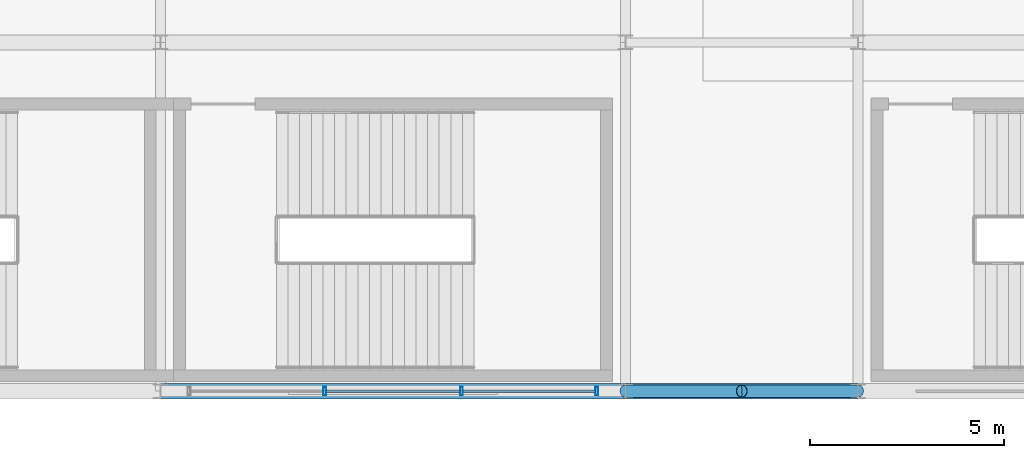
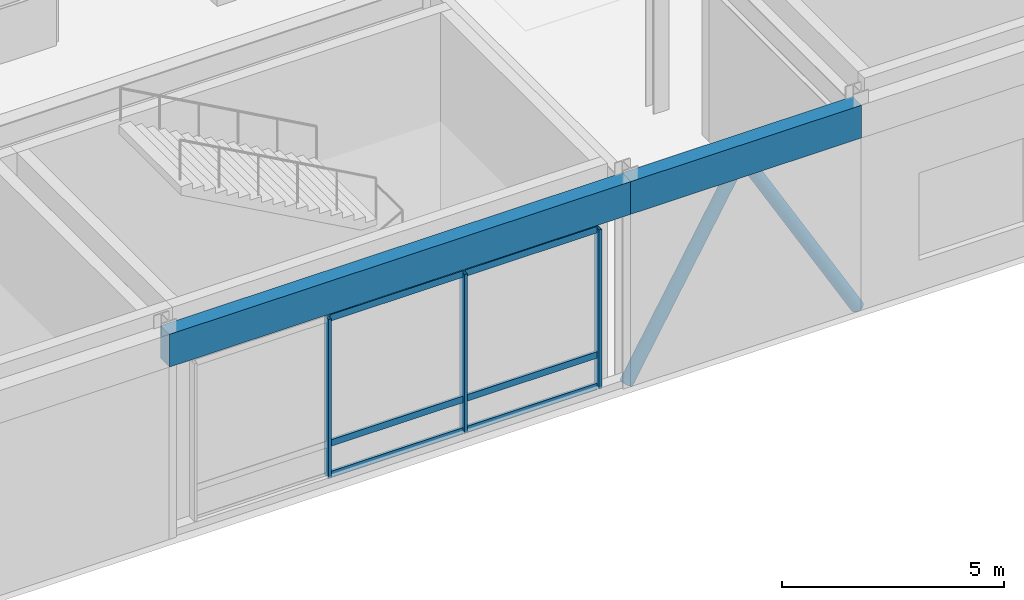
# One storey, part 19 of 108: 11 members, 2 beams, 1 element without a shape of its own.
"""IFC4 building model written with IfcOpenShell, lengths in metres."""

from ifc_helpers import new_model, si_unit, direction, frame, origin, origin_2d, place, context, subcontext, project, spatial, rectangle, hollow_rectangle, hollow_circle, extrude, material, material_profile, profile_set, type_object, element, aggregate, save


model = new_model("IFC4")

# Units and contexts
model_context = context("Model", 3, precision=1e-05, world=origin(), true_north=direction((0.0, 1.0)))
body_context = subcontext(model_context, "Body", "Model", "MODEL_VIEW")
ifc_project = project(units=[si_unit("LENGTHUNIT", "METRE"), si_unit("AREAUNIT", "SQUARE_METRE"), si_unit("VOLUMEUNIT", "CUBIC_METRE"), si_unit("PLANEANGLEUNIT", "RADIAN"), si_unit("MASSUNIT", "GRAM", prefix="KILO")], contexts=[model_context])

# Site, building, storey
site_placement = place(None, origin())
site = spatial("IfcSite", under=ifc_project, at=site_placement, CompositionType="ELEMENT")
building_placement = place(site_placement, origin())
building = spatial("IfcBuilding", under=site, at=building_placement, Name="Kaldorvane Square Convention Centre", CompositionType="ELEMENT")
storey_placement = place(building_placement, frame((0.0, 0.0, 12.0)))
storey = spatial("IfcBuildingStorey", under=building, at=storey_placement, Name="L02", CompositionType="ELEMENT", Elevation=12.0)

# Beams
ifc_material_1 = material(Name="Concrete f'c = 42 MPa (Normalweight)", Category="concrete")
ifc_material_profile_1 = material_profile(ifc_material_1, rectangle(XDim=0.399993896484375, YDim=0.899993896484375, at=origin_2d()), Name="RCSP900X400")
ifc_profile_set_1 = profile_set([ifc_material_profile_1], Name="Concrete f'c = 42 MPa (Normalweight)")
beam_type = type_object("IfcBeamType", Name="BM-SP-RC900", PredefinedType="SPANDREL", material=ifc_profile_set_1)
beam_1_placement = place(storey_placement, frame((12.0, 0.0, 5.1959991455078125), z_axis=(1.0, 0.0, 0.0), x_axis=(0.0, 1.0, 0.0)))
element("IfcBeam", 1, at=beam_1_placement, inside=storey, type_object=beam_type, Name="Perimeter Spandrel (L02)", PredefinedType="SPANDREL", context=body_context, shape_type="SweptSolid", body=[
    extrude(rectangle(XDim=0.399993896484375, YDim=0.899993896484375, at=origin_2d()), origin(), (0.0, 0.0, 1.0), 12.0),
])
beam_2_placement = place(storey_placement, frame((24.0, 0.0, 5.1959991455078125), z_axis=(1.0, 0.0, 0.0), x_axis=(0.0, 1.0, 0.0)))
element("IfcBeam", 2, at=beam_2_placement, inside=storey, type_object=beam_type, Name="Perimeter Spandrel (L02)", PredefinedType="SPANDREL", context=body_context, shape_type="SweptSolid", body=[
    extrude(rectangle(XDim=0.399993896484375, YDim=0.899993896484375, at=origin_2d()), origin(), (0.0, 0.0, 1.0), 6.0),
])

# Curtain wall, members
ifc_material_2 = material(Name="Anodized Aluminum and Low-E Insulated Glazing", Category="aluminium")
curtain_wall_type = type_object("IfcCurtainWallType", Name="CW-UNI-P60-12", PredefinedType="USERDEFINED", material=ifc_material_2)
curtain_wall_placement = place(storey_placement, origin())
curtain_wall = element("IfcCurtainWall", 3, at=curtain_wall_placement, inside=storey, type_object=curtain_wall_type, Name="Curtain Wall CW-01 (L02)", ObjectType="UNITISED GLAZING", PredefinedType="USERDEFINED")
ifc_material_profile_2 = material_profile(ifc_material_2, hollow_rectangle(XDim=0.0749969482421875, YDim=0.220001220703125, WallThickness=0.003997802734375, at=origin_2d()), Name="CWM-220X75")
ifc_profile_set_2 = profile_set([ifc_material_profile_2], Name="Anodized Aluminum and Low-E Insulated Glazing")
member_type_1 = type_object("IfcMemberType", Name="CW-MUL-220", PredefinedType="MULLION", material=ifc_profile_set_2)
member_1_placement = place(storey_placement, frame((16.23333740234375, 0.0, 0.149993896484375), z_axis=(0.0, 0.0, 1.0), x_axis=(1.0, 0.0, 0.0)))
member_1 = element("IfcMember", 4, at=member_1_placement, type_object=member_type_1, Name="CW-01 mullion 2", PredefinedType="MULLION", context=body_context, shape_type="SweptSolid", body=[
    extrude(hollow_rectangle(XDim=0.0749969482421875, YDim=0.220001220703125, WallThickness=0.003997802734375, at=origin_2d()), origin(), (0.0, 0.0, 1.0), 4.3800048828125),
])
member_2_placement = place(storey_placement, frame((19.76666259765625, 0.0, 0.149993896484375), z_axis=(0.0, 0.0, 1.0), x_axis=(1.0, 0.0, 0.0)))
member_2 = element("IfcMember", 5, at=member_2_placement, type_object=member_type_1, Name="CW-01 mullion 3", PredefinedType="MULLION", context=body_context, shape_type="SweptSolid", body=[
    extrude(hollow_rectangle(XDim=0.0749969482421875, YDim=0.220001220703125, WallThickness=0.003997802734375, at=origin_2d()), origin(), (0.0, 0.0, 1.0), 4.3800048828125),
])
member_3_placement = place(storey_placement, frame((23.262496948242188, 0.0, 0.149993896484375), z_axis=(0.0, 0.0, 1.0), x_axis=(1.0, 0.0, 0.0)))
member_3 = element("IfcMember", 6, at=member_3_placement, type_object=member_type_1, Name="CW-01 mullion 4", PredefinedType="MULLION", context=body_context, shape_type="SweptSolid", body=[
    extrude(hollow_rectangle(XDim=0.0749969482421875, YDim=0.220001220703125, WallThickness=0.003997802734375, at=origin_2d()), origin(), (0.0, 0.0, 1.0), 4.3800048828125),
])
ifc_material_profile_3 = material_profile(ifc_material_2, hollow_rectangle(XDim=0.06500244140625, YDim=0.17999267578125, WallThickness=0.0034942626953125, at=origin_2d()), Name="CWT-180X65")
ifc_profile_set_3 = profile_set([ifc_material_profile_3], Name="Anodized Aluminum and Low-E Insulated Glazing")
member_type_2 = type_object("IfcMemberType", Name="CW-TRN-180", PredefinedType="USERDEFINED", material=ifc_profile_set_3)
member_4_placement = place(storey_placement, frame((16.270828247070312, 0.0, 0.1824951171875), z_axis=(1.0, 0.0, 0.0), x_axis=(0.0, 1.0, 0.0)))
member_4 = element("IfcMember", 7, at=member_4_placement, type_object=member_type_2, Name="CW-01 transom 2.1", ObjectType="TRANSOM", PredefinedType="USERDEFINED", context=body_context, shape_type="SweptSolid", body=[
    extrude(hollow_rectangle(XDim=0.06500244140625, YDim=0.17999267578125, WallThickness=0.0034942626953125, at=origin_2d()), origin(), (0.0, 0.0, 1.0), 3.458343505859375),
])
member_5_placement = place(storey_placement, frame((16.270828247070312, 0.0, 1.0500030517578125), z_axis=(1.0, 0.0, 0.0), x_axis=(0.0, 1.0, 0.0)))
member_5 = element("IfcMember", 8, at=member_5_placement, type_object=member_type_2, Name="CW-01 transom 2.2", ObjectType="TRANSOM", PredefinedType="USERDEFINED", context=body_context, shape_type="SweptSolid", body=[
    extrude(hollow_rectangle(XDim=0.06500244140625, YDim=0.17999267578125, WallThickness=0.0034942626953125, at=origin_2d()), origin(), (0.0, 0.0, 1.0), 3.458343505859375),
])
member_6_placement = place(storey_placement, frame((16.270828247070312, 0.0, 4.49749755859375), z_axis=(1.0, 0.0, 0.0), x_axis=(0.0, 1.0, 0.0)))
member_6 = element("IfcMember", 9, at=member_6_placement, type_object=member_type_2, Name="CW-01 transom 2.3", ObjectType="TRANSOM", PredefinedType="USERDEFINED", context=body_context, shape_type="SweptSolid", body=[
    extrude(hollow_rectangle(XDim=0.06500244140625, YDim=0.17999267578125, WallThickness=0.0034942626953125, at=origin_2d()), origin(), (0.0, 0.0, 1.0), 3.458343505859375),
])
member_7_placement = place(storey_placement, frame((19.804168701171875, 0.0, 0.1824951171875), z_axis=(1.0, 0.0, 0.0), x_axis=(0.0, 1.0, 0.0)))
member_7 = element("IfcMember", 10, at=member_7_placement, type_object=member_type_2, Name="CW-01 transom 3.1", ObjectType="TRANSOM", PredefinedType="USERDEFINED", context=body_context, shape_type="SweptSolid", body=[
    extrude(hollow_rectangle(XDim=0.06500244140625, YDim=0.17999267578125, WallThickness=0.0034942626953125, at=origin_2d()), origin(), (0.0, 0.0, 1.0), 3.42083740234375),
])
member_8_placement = place(storey_placement, frame((19.804168701171875, 0.0, 1.0500030517578125), z_axis=(1.0, 0.0, 0.0), x_axis=(0.0, 1.0, 0.0)))
member_8 = element("IfcMember", 11, at=member_8_placement, type_object=member_type_2, Name="CW-01 transom 3.2", ObjectType="TRANSOM", PredefinedType="USERDEFINED", context=body_context, shape_type="SweptSolid", body=[
    extrude(hollow_rectangle(XDim=0.06500244140625, YDim=0.17999267578125, WallThickness=0.0034942626953125, at=origin_2d()), origin(), (0.0, 0.0, 1.0), 3.42083740234375),
])
member_9_placement = place(storey_placement, frame((19.804168701171875, 0.0, 4.49749755859375), z_axis=(1.0, 0.0, 0.0), x_axis=(0.0, 1.0, 0.0)))
member_9 = element("IfcMember", 12, at=member_9_placement, type_object=member_type_2, Name="CW-01 transom 3.3", ObjectType="TRANSOM", PredefinedType="USERDEFINED", context=body_context, shape_type="SweptSolid", body=[
    extrude(hollow_rectangle(XDim=0.06500244140625, YDim=0.17999267578125, WallThickness=0.0034942626953125, at=origin_2d()), origin(), (0.0, 0.0, 1.0), 3.42083740234375),
])
aggregate(curtain_wall, [member_1, member_2, member_3, member_4, member_5, member_6, member_7, member_8, member_9])

# Members
ifc_material_3 = material(Name="Steel ASTM A500 Gr. C", Category="steel")
ifc_material_profile_4 = material_profile(ifc_material_3, hollow_circle(Radius=0.161956787109375, WallThickness=0.0117950439453125, at=origin_2d()), Name="HSS12.750X0.500")
ifc_profile_set_4 = profile_set([ifc_material_profile_4], Name="Steel ASTM A500 Gr. C")
member_type_3 = type_object("IfcMemberType", Name="MB-BR-CHS12", PredefinedType="BRACE", material=ifc_profile_set_4)
for number, where, z_axis, x_axis, name in (
    (13, (24.0, 0.0, 0.0), (0.500011062033, 0.0, 0.866019017023), (0.0, 1.0, 0.0), "Seismic Chevron Brace Y0-B1A (L02)"),
    (14, (30.0, 0.0, 0.0), (-0.500011062033, 0.0, 0.866019017023), (0.0, -1.0, 0.0), "Seismic Chevron Brace Y0-B1B (L02)"),
):
    element("IfcMember", number, at=place(storey_placement, frame(where, z_axis=z_axis, x_axis=x_axis)), inside=storey, type_object=member_type_3, Name=name, PredefinedType="BRACE", context=body_context, shape_type="SweptSolid", body=[
        extrude(hollow_circle(Radius=0.161956787109375, WallThickness=0.0117950439453125, at=origin_2d()), origin(), (0.0, 0.0, 1.0), 5.9998626708984375),
    ])

save(model, "model.ifc")
